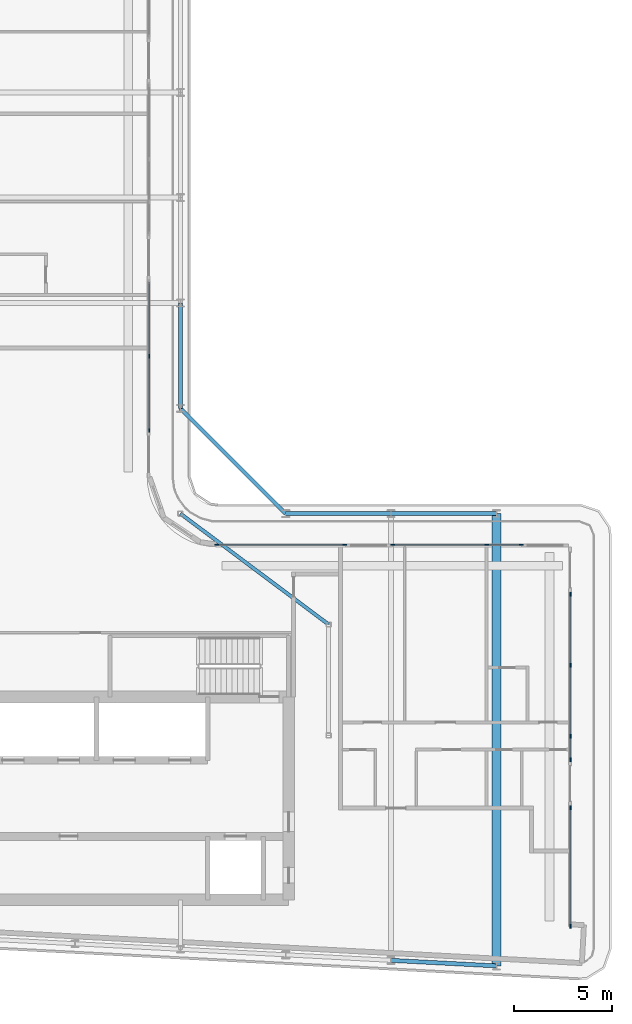
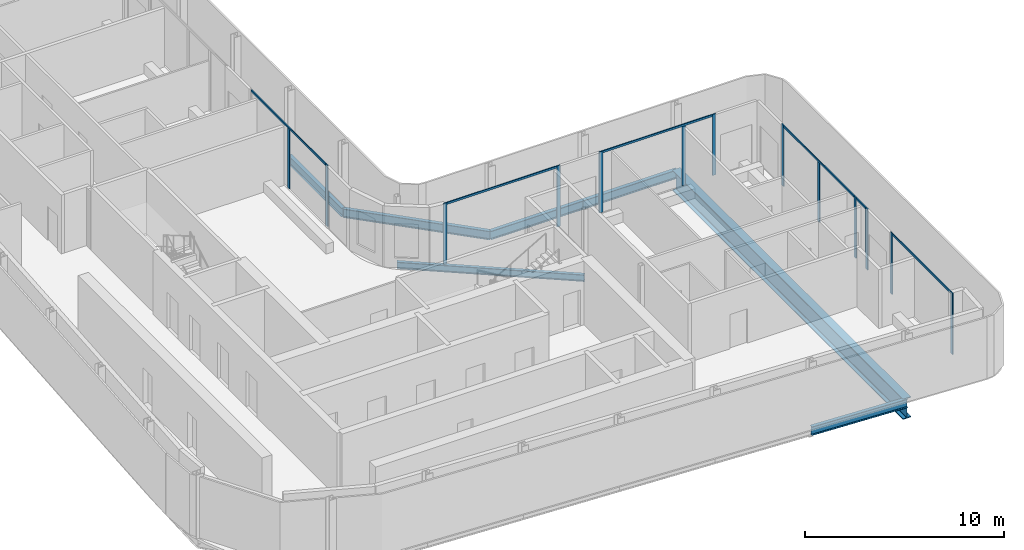
# One storey, part 6 of 21: 19 members, 7 beams, 6 elements without a shape of their own.
"""IFC4 building model written with IfcOpenShell, lengths in metres."""

from ifc_helpers import new_model, si_unit, direction, frame, origin, origin_2d, place, context, subcontext, project, spatial, rectangle, i_section, extrude, material, layer, layer_set, material_profile, profile_set, type_object, element, aggregate, save


model = new_model("IFC4")

# Units and contexts
model_context = context("Model", 3, precision=1e-05, world=origin(), true_north=direction((0.0, 1.0)))
body_context = subcontext(model_context, "Body", "Model", "MODEL_VIEW")
ifc_project = project(units=[si_unit("LENGTHUNIT", "METRE"), si_unit("AREAUNIT", "SQUARE_METRE"), si_unit("VOLUMEUNIT", "CUBIC_METRE"), si_unit("PLANEANGLEUNIT", "RADIAN"), si_unit("MASSUNIT", "GRAM", prefix="KILO")], contexts=[model_context])

# Site, building, storey
site_placement = place(None, origin())
site = spatial("IfcSite", under=ifc_project, at=site_placement, CompositionType="ELEMENT")
building_placement = place(site_placement, origin())
building = spatial("IfcBuilding", under=site, at=building_placement, Name="Kheshtan School and Residences Tower", CompositionType="ELEMENT")
storey_placement = place(building_placement, frame((0.0, 0.0, 302.0)))
storey = spatial("IfcBuildingStorey", under=building, at=storey_placement, Name="L71", CompositionType="ELEMENT", Elevation=302.0)

# Beams
ifc_material_1 = material(Name="Steel ASTM A992 Grade 50", Category="steel")
ifc_material_profile_1 = material_profile(ifc_material_1, i_section(OverallWidth=0.180908203125, OverallDepth=0.4169921875, WebThickness=0.010986328125, FlangeThickness=0.018310546875, FilletRadius=0.012451171875, at=origin_2d()), Name="W410x85")
ifc_profile_set_1 = profile_set([ifc_material_profile_1], Name="Steel ASTM A992 Grade 50")
beam_type_1 = type_object("IfcBeamType", Name="Beam FB3 W410x85 ASTM A992 Grade 50", PredefinedType="BEAM", material=ifc_profile_set_1)
beam_1_placement = place(storey_placement, frame((47.60009765625, 45.60009765625, -0.3583984375), z_axis=(0.800798828004, -0.598933416222, 0.0), x_axis=(0.598933416222, 0.800798828004, 0.0)))
element("IfcBeam", 1, at=beam_1_placement, inside=storey, type_object=beam_type_1, Name="Floor beam IC", PredefinedType="BEAM", context=body_context, shape_type="SweptSolid", body=[
    extrude(i_section(OverallWidth=0.180908203125, OverallDepth=0.4169921875, WebThickness=0.010986328125, FlangeThickness=0.018310546875, FilletRadius=0.012451171875, at=origin_2d()), origin(), (0.0, 0.0, 1.0), 9.490234375),
])
ifc_material_profile_2 = material_profile(ifc_material_1, i_section(OverallWidth=0.208984375, OverallDepth=0.532958984375, WebThickness=0.01025390625, FlangeThickness=0.015625, FilletRadius=0.013916015625, at=origin_2d()), Name="W530x92")
ifc_profile_set_2 = profile_set([ifc_material_profile_2], Name="Steel ASTM A992 Grade 50")
beam_type_2 = type_object("IfcBeamType", Name="Beam SP3 W530x92 ASTM A992 Grade 50", PredefinedType="BEAM", material=ifc_profile_set_2)
beam_2_placement = place(storey_placement, frame((47.60009765625, 56.39990234375, -0.41650390625), z_axis=(0.0, -1.0, 0.0), x_axis=(1.0, 0.0, 0.0)))
element("IfcBeam", 2, at=beam_2_placement, inside=storey, type_object=beam_type_2, Name="Spandrel beam C081-C079", PredefinedType="BEAM", context=body_context, shape_type="SweptSolid", body=[
    extrude(i_section(OverallWidth=0.208984375, OverallDepth=0.532958984375, WebThickness=0.01025390625, FlangeThickness=0.015625, FilletRadius=0.013916015625, at=origin_2d()), origin(), (0.0, 0.0, 1.0), 5.39990234375),
])
beam_3_placement = place(storey_placement, frame((47.60009765625, 51.0, -0.41650390625), z_axis=(0.707106781187, -0.707106781187, 0.0), x_axis=(0.707106781187, 0.707106781187, 0.0)))
element("IfcBeam", 3, at=beam_3_placement, inside=storey, type_object=beam_type_2, Name="Spandrel beam C079-C061", PredefinedType="BEAM", context=body_context, shape_type="SweptSolid", body=[
    extrude(i_section(OverallWidth=0.208984375, OverallDepth=0.532958984375, WebThickness=0.01025390625, FlangeThickness=0.015625, FilletRadius=0.013916015625, at=origin_2d()), origin(), (0.0, 0.0, 1.0), 7.63671875),
])
beam_4_placement = place(storey_placement, frame((53.0, 45.60009765625, -0.41650390625), z_axis=(1.0, 0.0, 0.0), x_axis=(0.0, 1.0, 0.0)))
element("IfcBeam", 4, at=beam_4_placement, inside=storey, type_object=beam_type_2, Name="Spandrel beam C061-C062", PredefinedType="BEAM", context=body_context, shape_type="SweptSolid", body=[
    extrude(i_section(OverallWidth=0.208984375, OverallDepth=0.532958984375, WebThickness=0.01025390625, FlangeThickness=0.015625, FilletRadius=0.013916015625, at=origin_2d()), origin(), (0.0, 0.0, 1.0), 5.39990234375),
])
beam_5_placement = place(storey_placement, frame((58.39990234375, 45.60009765625, -0.41650390625), z_axis=(1.0, 0.0, 0.0), x_axis=(0.0, 1.0, 0.0)))
element("IfcBeam", 5, at=beam_5_placement, inside=storey, type_object=beam_type_2, Name="Spandrel beam C062-C063", PredefinedType="BEAM", context=body_context, shape_type="SweptSolid", body=[
    extrude(i_section(OverallWidth=0.208984375, OverallDepth=0.532958984375, WebThickness=0.01025390625, FlangeThickness=0.015625, FilletRadius=0.013916015625, at=origin_2d()), origin(), (0.0, 0.0, 1.0), 5.400146484375),
])
beam_6_placement = place(storey_placement, frame((63.800048828125, 22.410888671875, -0.41650390625), z_axis=(-0.998618203458, 0.052551724256, 0.0), x_axis=(-0.052551724256, -0.998618203458, 0.0)))
element("IfcBeam", 6, at=beam_6_placement, inside=storey, type_object=beam_type_2, Name="Spandrel beam C016-C018", PredefinedType="BEAM", context=body_context, shape_type="SweptSolid", body=[
    extrude(i_section(OverallWidth=0.208984375, OverallDepth=0.532958984375, WebThickness=0.01025390625, FlangeThickness=0.015625, FilletRadius=0.013916015625, at=origin_2d()), origin(), (0.0, 0.0, 1.0), 5.40771484375),
])

# Curtain wall, members
ifc_material_2 = material(Name="Clear low-e glass in thermally broken aluminium frame", Category="aluminium")
ifc_layer = layer(ifc_material_2, 0.199951171875)
ifc_layer_set = layer_set([ifc_layer], Name="Curtain wall CW-L")
curtain_wall_type = type_object("IfcCurtainWallType", Name="Curtain wall CW-L", PredefinedType="NOTDEFINED", material=ifc_layer_set)
curtain_wall_1_placement = place(storey_placement, origin())
curtain_wall_1 = element("IfcCurtainWall", 7, at=curtain_wall_1_placement, inside=storey, type_object=curtain_wall_type, Name="Curtain wall CWL8", PredefinedType="NOTDEFINED")
ifc_material_3 = material(Name="Thermally broken aluminium, dark bronze anodised", Category="aluminium")
ifc_material_profile_3 = material_profile(ifc_material_3, rectangle(XDim=0.06005859375, YDim=0.199951171875, at=origin_2d()), Name="CW-L mullion 60x200")
ifc_profile_set_3 = profile_set([ifc_material_profile_3], Name="Thermally broken aluminium, dark bronze anodised")
member_type_1 = type_object("IfcMemberType", Name="CW-L mullion 60x200", PredefinedType="MULLION", material=ifc_profile_set_3)
member_1_placement = place(storey_placement, frame((46.0, 53.677001953125, 0.0), z_axis=(0.0, 0.0, 1.0), x_axis=(1.0, 0.0, 0.0)))
member_1 = element("IfcMember", 8, at=member_1_placement, type_object=member_type_1, Name="CWL8 mullion 2", PredefinedType="MULLION", context=body_context, shape_type="SweptSolid", body=[
    extrude(rectangle(XDim=0.06005859375, YDim=0.199951171875, at=origin_2d()), origin(), (0.0, 0.0, 1.0), 3.6298828125),
])
member_2_placement = place(storey_placement, frame((46.0, 49.860107421875, 0.0), z_axis=(0.0, 0.0, 1.0), x_axis=(1.0, 0.0, 0.0)))
member_2 = element("IfcMember", 9, at=member_2_placement, type_object=member_type_1, Name="CWL8 mullion 3", PredefinedType="MULLION", context=body_context, shape_type="SweptSolid", body=[
    extrude(rectangle(XDim=0.06005859375, YDim=0.199951171875, at=origin_2d()), origin(), (0.0, 0.0, 1.0), 3.75),
])

curtain_wall_2_placement = place(storey_placement, origin())
curtain_wall_2 = element("IfcCurtainWall", 10, at=curtain_wall_2_placement, inside=storey, type_object=curtain_wall_type, Name="Curtain wall CWL1233", PredefinedType="NOTDEFINED")
member_3_placement = place(storey_placement, frame((49.4599609375, 44.0, 0.0), z_axis=(0.0, 0.0, 1.0), x_axis=(0.0, 1.0, 0.0)))
member_3 = element("IfcMember", 11, at=member_3_placement, type_object=member_type_1, Name="CWL1233 mullion 1", PredefinedType="MULLION", context=body_context, shape_type="SweptSolid", body=[
    extrude(rectangle(XDim=0.06005859375, YDim=0.199951171875, at=origin_2d()), origin(), (0.0, 0.0, 1.0), 3.75),
])
member_4_placement = place(storey_placement, frame((56.034912109375, 44.0, 0.0), z_axis=(0.0, 0.0, 1.0), x_axis=(0.0, 1.0, 0.0)))
member_4 = element("IfcMember", 12, at=member_4_placement, type_object=member_type_1, Name="CWL1233 mullion 2", PredefinedType="MULLION", context=body_context, shape_type="SweptSolid", body=[
    extrude(rectangle(XDim=0.06005859375, YDim=0.199951171875, at=origin_2d()), origin(), (0.0, 0.0, 1.0), 3.75),
])

curtain_wall_3_placement = place(storey_placement, origin())
curtain_wall_3 = element("IfcCurtainWall", 13, at=curtain_wall_3_placement, inside=storey, type_object=curtain_wall_type, Name="Curtain wall CWL1234", PredefinedType="NOTDEFINED")
member_5_placement = place(storey_placement, frame((58.4951171875, 44.0, 0.0), z_axis=(0.0, 0.0, 1.0), x_axis=(0.0, 1.0, 0.0)))
member_5 = element("IfcMember", 14, at=member_5_placement, type_object=member_type_1, Name="CWL1234 mullion 1", PredefinedType="MULLION", context=body_context, shape_type="SweptSolid", body=[
    extrude(rectangle(XDim=0.06005859375, YDim=0.199951171875, at=origin_2d()), origin(), (0.0, 0.0, 1.0), 3.75),
])
member_6_placement = place(storey_placement, frame((63.300048828125, 44.0, 0.0), z_axis=(0.0, 0.0, 1.0), x_axis=(0.0, 1.0, 0.0)))
member_6 = element("IfcMember", 15, at=member_6_placement, type_object=member_type_1, Name="CWL1234 mullion 2", PredefinedType="MULLION", context=body_context, shape_type="SweptSolid", body=[
    extrude(rectangle(XDim=0.06005859375, YDim=0.199951171875, at=origin_2d()), origin(), (0.0, 0.0, 1.0), 3.6298828125),
])
member_7_placement = place(storey_placement, frame((65.070068359375, 44.0, 0.0), z_axis=(0.0, 0.0, 1.0), x_axis=(0.0, 1.0, 0.0)))
member_7 = element("IfcMember", 16, at=member_7_placement, type_object=member_type_1, Name="CWL1234 mullion 3", PredefinedType="MULLION", context=body_context, shape_type="SweptSolid", body=[
    extrude(rectangle(XDim=0.06005859375, YDim=0.199951171875, at=origin_2d()), origin(), (0.0, 0.0, 1.0), 3.75),
])

curtain_wall_4_placement = place(storey_placement, origin())
curtain_wall_4 = element("IfcCurtainWall", 17, at=curtain_wall_4_placement, inside=storey, type_object=curtain_wall_type, Name="Curtain wall CWL13e", PredefinedType="NOTDEFINED")
member_8_placement = place(storey_placement, frame((67.60009765625, 41.469970703125, 0.0), z_axis=(0.0, 0.0, 1.0), x_axis=(1.0, 0.0, 0.0)))
member_8 = element("IfcMember", 18, at=member_8_placement, type_object=member_type_1, Name="CWL13e mullion 1", PredefinedType="MULLION", context=body_context, shape_type="SweptSolid", body=[
    extrude(rectangle(XDim=0.06005859375, YDim=0.199951171875, at=origin_2d()), origin(), (0.0, 0.0, 1.0), 3.75),
])
member_9_placement = place(storey_placement, frame((67.60009765625, 37.829833984375, 0.0), z_axis=(0.0, 0.0, 1.0), x_axis=(1.0, 0.0, 0.0)))
member_9 = element("IfcMember", 19, at=member_9_placement, type_object=member_type_1, Name="CWL13e mullion 2", PredefinedType="MULLION", context=body_context, shape_type="SweptSolid", body=[
    extrude(rectangle(XDim=0.06005859375, YDim=0.199951171875, at=origin_2d()), origin(), (0.0, 0.0, 1.0), 3.6298828125),
])
member_10_placement = place(storey_placement, frame((67.60009765625, 34.189453125, 0.0), z_axis=(0.0, 0.0, 1.0), x_axis=(1.0, 0.0, 0.0)))
member_10 = element("IfcMember", 20, at=member_10_placement, type_object=member_type_1, Name="CWL13e mullion 3", PredefinedType="MULLION", context=body_context, shape_type="SweptSolid", body=[
    extrude(rectangle(XDim=0.06005859375, YDim=0.199951171875, at=origin_2d()), origin(), (0.0, 0.0, 1.0), 3.75),
])

# Curtain wall, member
curtain_wall_5_placement = place(storey_placement, origin())
curtain_wall_5 = element("IfcCurtainWall", 21, at=curtain_wall_5_placement, inside=storey, type_object=curtain_wall_type, Name="Curtain wall CWL13f", PredefinedType="NOTDEFINED")
member_11_placement = place(storey_placement, frame((67.60009765625, 32.989501953125, 0.0), z_axis=(0.0, 0.0, 1.0), x_axis=(1.0, 0.0, 0.0)))
member_11 = element("IfcMember", 22, at=member_11_placement, type_object=member_type_1, Name="CWL13f mullion 2", PredefinedType="MULLION", context=body_context, shape_type="SweptSolid", body=[
    extrude(rectangle(XDim=0.06005859375, YDim=0.199951171875, at=origin_2d()), origin(), (0.0, 0.0, 1.0), 3.75),
])

# Curtain wall, members
curtain_wall_6_placement = place(storey_placement, origin())
curtain_wall_6 = element("IfcCurtainWall", 23, at=curtain_wall_6_placement, inside=storey, type_object=curtain_wall_type, Name="Curtain wall CWL13g", PredefinedType="NOTDEFINED")
member_12_placement = place(storey_placement, frame((67.60009765625, 30.529541015625, 0.0), z_axis=(0.0, 0.0, 1.0), x_axis=(1.0, 0.0, 0.0)))
member_12 = element("IfcMember", 24, at=member_12_placement, type_object=member_type_1, Name="CWL13g mullion 1", PredefinedType="MULLION", context=body_context, shape_type="SweptSolid", body=[
    extrude(rectangle(XDim=0.06005859375, YDim=0.199951171875, at=origin_2d()), origin(), (0.0, 0.0, 1.0), 3.75),
])
member_13_placement = place(storey_placement, frame((67.60009765625, 24.448974609375, 0.0), z_axis=(0.0, 0.0, 1.0), x_axis=(1.0, 0.0, 0.0)))
member_13 = element("IfcMember", 25, at=member_13_placement, type_object=member_type_1, Name="CWL13g mullion 2", PredefinedType="MULLION", context=body_context, shape_type="SweptSolid", body=[
    extrude(rectangle(XDim=0.06005859375, YDim=0.199951171875, at=origin_2d()), origin(), (0.0, 0.0, 1.0), 3.75),
])

# Member
ifc_material_profile_4 = material_profile(ifc_material_3, rectangle(XDim=0.06005859375, YDim=0.1201171875, at=origin_2d()), Name="CW-L transom 60x120")
ifc_profile_set_4 = profile_set([ifc_material_profile_4], Name="Thermally broken aluminium, dark bronze anodised")
member_type_2 = type_object("IfcMemberType", Name="CW-L transom 60x120", PredefinedType="USERDEFINED", material=ifc_profile_set_4)
member_14_placement = place(storey_placement, frame((46.0, 57.464111328125, 3.68994140625), z_axis=(0.0, -1.0, 0.0), x_axis=(1.0, 0.0, 0.0)))
member_14 = element("IfcMember", 26, at=member_14_placement, type_object=member_type_2, Name="CWL8 transom 1", ObjectType="TRANSOM", PredefinedType="USERDEFINED", context=body_context, shape_type="SweptSolid", body=[
    extrude(rectangle(XDim=0.06005859375, YDim=0.1201171875, at=origin_2d()), origin(), (0.0, 0.0, 1.0), 7.57421875),
])

aggregate(curtain_wall_1, [member_1, member_2, member_14])

member_15_placement = place(storey_placement, frame((49.489990234375, 44.0, 3.68994140625), z_axis=(1.0, 0.0, 0.0), x_axis=(0.0, 1.0, 0.0)))
member_15 = element("IfcMember", 27, at=member_15_placement, type_object=member_type_2, Name="CWL1233 transom 1", ObjectType="TRANSOM", PredefinedType="USERDEFINED", context=body_context, shape_type="SweptSolid", body=[
    extrude(rectangle(XDim=0.06005859375, YDim=0.1201171875, at=origin_2d()), origin(), (0.0, 0.0, 1.0), 6.514892578125),
])

aggregate(curtain_wall_2, [member_3, member_4, member_15])

member_16_placement = place(storey_placement, frame((58.52490234375, 44.0, 3.68994140625), z_axis=(1.0, 0.0, 0.0), x_axis=(0.0, 1.0, 0.0)))
member_16 = element("IfcMember", 28, at=member_16_placement, type_object=member_type_2, Name="CWL1234 transom 1", ObjectType="TRANSOM", PredefinedType="USERDEFINED", context=body_context, shape_type="SweptSolid", body=[
    extrude(rectangle(XDim=0.06005859375, YDim=0.1201171875, at=origin_2d()), origin(), (0.0, 0.0, 1.0), 6.51513671875),
])

aggregate(curtain_wall_3, [member_5, member_6, member_7, member_16])

member_17_placement = place(storey_placement, frame((67.60009765625, 41.43994140625, 3.68994140625), z_axis=(0.0, -1.0, 0.0), x_axis=(1.0, 0.0, 0.0)))
member_17 = element("IfcMember", 29, at=member_17_placement, type_object=member_type_2, Name="CWL13e transom 1", ObjectType="TRANSOM", PredefinedType="USERDEFINED", context=body_context, shape_type="SweptSolid", body=[
    extrude(rectangle(XDim=0.06005859375, YDim=0.1201171875, at=origin_2d()), origin(), (0.0, 0.0, 1.0), 7.220458984375),
])

aggregate(curtain_wall_4, [member_8, member_9, member_10, member_17])

member_18_placement = place(storey_placement, frame((67.60009765625, 34.159423828125, 3.68994140625), z_axis=(0.0, -1.0, 0.0), x_axis=(1.0, 0.0, 0.0)))
member_18 = element("IfcMember", 30, at=member_18_placement, type_object=member_type_2, Name="CWL13f transom 1", ObjectType="TRANSOM", PredefinedType="USERDEFINED", context=body_context, shape_type="SweptSolid", body=[
    extrude(rectangle(XDim=0.06005859375, YDim=0.1201171875, at=origin_2d()), origin(), (0.0, 0.0, 1.0), 1.139892578125),
])

aggregate(curtain_wall_5, [member_11, member_18])

member_19_placement = place(storey_placement, frame((67.60009765625, 30.49951171875, 3.68994140625), z_axis=(0.0, -1.0, 0.0), x_axis=(1.0, 0.0, 0.0)))
member_19 = element("IfcMember", 31, at=member_19_placement, type_object=member_type_2, Name="CWL13g transom 1", ObjectType="TRANSOM", PredefinedType="USERDEFINED", context=body_context, shape_type="SweptSolid", body=[
    extrude(rectangle(XDim=0.06005859375, YDim=0.1201171875, at=origin_2d()), origin(), (0.0, 0.0, 1.0), 6.0205078125),
])

aggregate(curtain_wall_6, [member_12, member_13, member_19])

# Beam
ifc_material_profile_5 = material_profile(ifc_material_1, i_section(OverallWidth=0.449951171875, OverallDepth=1.25, WebThickness=0.02490234375, FlangeThickness=0.044921875, FilletRadius=0.03759765625, at=origin_2d()), Name="WWF1250x546")
ifc_profile_set_5 = profile_set([ifc_material_profile_5], Name="Steel ASTM A992 Grade 50")
beam_type_3 = type_object("IfcBeamType", Name="Transfer girder TG4 WWF1250x546 ASTM A992 Grade 50", PredefinedType="BEAM", material=ifc_profile_set_5)
beam_7_placement = place(storey_placement, frame((63.800048828125, 45.60009765625, -0.77490234375), z_axis=(0.0, -1.0, 0.0), x_axis=(1.0, 0.0, 0.0)))
element("IfcBeam", 32, at=beam_7_placement, inside=storey, type_object=beam_type_3, Name="Transfer girder C063-C016", PredefinedType="BEAM", context=body_context, shape_type="SweptSolid", body=[
    extrude(i_section(OverallWidth=0.449951171875, OverallDepth=1.25, WebThickness=0.02490234375, FlangeThickness=0.044921875, FilletRadius=0.03759765625, at=origin_2d()), origin(), (0.0, 0.0, 1.0), 23.189208984375),
])

save(model, "model.ifc")
